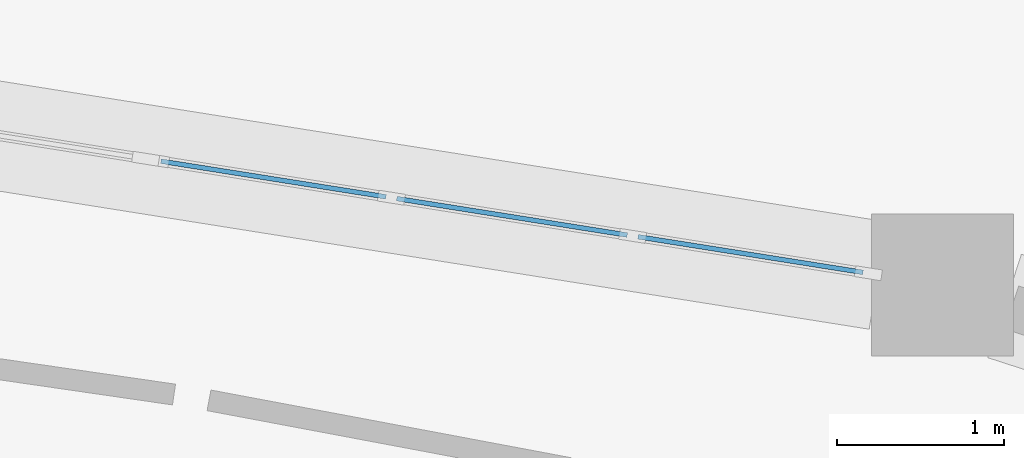
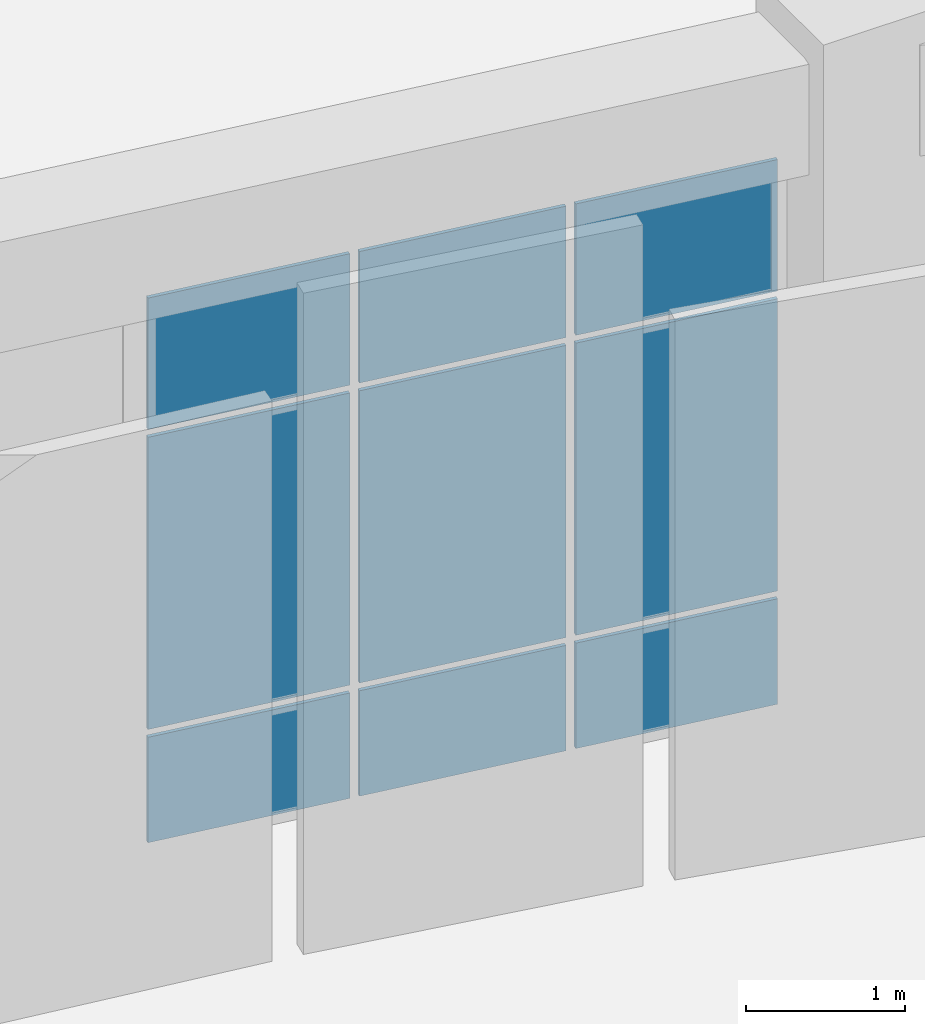
# One storey, part 43 of 70: 9 plates, 1 element without a shape of its own.
"""IFC4 building model written with IfcOpenShell, lengths in metres."""

from ifc_helpers import new_model, si_unit, direction, frame, origin, origin_2d, place, context, subcontext, project, spatial, rectangle, extrude, material, layer, layer_set, type_object, element, aggregate, save


model = new_model("IFC4")

# Units and contexts
model_context = context("Model", 3, precision=1e-05, world=origin(), true_north=direction((0.0, 1.0)))
body_context = subcontext(model_context, "Body", "Model", "MODEL_VIEW")
ifc_project = project(units=[si_unit("LENGTHUNIT", "METRE"), si_unit("AREAUNIT", "SQUARE_METRE"), si_unit("VOLUMEUNIT", "CUBIC_METRE"), si_unit("PLANEANGLEUNIT", "RADIAN"), si_unit("MASSUNIT", "GRAM", prefix="KILO")], contexts=[model_context])

# Site, building, storey
site_placement = place(None, origin())
site = spatial("IfcSite", under=ifc_project, at=site_placement, CompositionType="ELEMENT")
building_placement = place(site_placement, origin())
building = spatial("IfcBuilding", under=site, at=building_placement, Name="Miralva Faculty of Natural Sciences", CompositionType="ELEMENT")
storey_placement = place(building_placement, origin())
storey = spatial("IfcBuildingStorey", under=building, at=storey_placement, Name="L00", CompositionType="ELEMENT", Elevation=0.0)

# Curtain wall, plates
ifc_material = material(Name="Laminated solar-control glass", Category="glass")
ifc_layer_1 = layer(ifc_material, 0.179931640625, Name="CW-ARC-L00")
ifc_layer_set_1 = layer_set([ifc_layer_1], Name="Laminated solar-control glass")
curtain_wall_type = type_object("IfcCurtainWallType", Name="CW-ARC-L00", PredefinedType="USERDEFINED", material=ifc_layer_set_1)
curtain_wall_placement = place(storey_placement, origin())
curtain_wall = element("IfcCurtainWall", 1, at=curtain_wall_placement, inside=storey, type_object=curtain_wall_type, Name="Curtain wall CW-01 L00-8", ObjectType="UNITISED CURTAIN WALL", PredefinedType="USERDEFINED")
ifc_layer_2 = layer(ifc_material, 0.028076171875, Name="PNL-P01")
ifc_layer_set_2 = layer_set([ifc_layer_2], Name="Laminated solar-control glass")
plate_type = type_object("IfcPlateType", Name="PNL-P01", PredefinedType="CURTAIN_PANEL", material=ifc_layer_set_2)
plate_1_placement = place(storey_placement, frame((100.24462890625, 38.947509765625, 0.06005859375), z_axis=(0.0, 0.0, 1.0), x_axis=(0.987686694805, -0.156444855796, 0.0)))
plate_1 = element("IfcPlate", 2, at=plate_1_placement, type_object=plate_type, Name="CW-01 panel 1.1", PredefinedType="CURTAIN_PANEL", context=body_context, shape_type="SweptSolid", body=[
    extrude(rectangle(XDim=1.361083984375, YDim=0.028076171875, at=origin_2d()), origin(), (0.0, 0.0, 1.0), 0.81005859375),
])
plate_2_placement = place(storey_placement, frame((100.24462890625, 38.947509765625, 0.929931640625), z_axis=(0.0, 0.0, 1.0), x_axis=(0.987686694805, -0.156444855796, 0.0)))
plate_2 = element("IfcPlate", 3, at=plate_2_placement, type_object=plate_type, Name="CW-01 panel 1.2", PredefinedType="CURTAIN_PANEL", context=body_context, shape_type="SweptSolid", body=[
    extrude(rectangle(XDim=1.361083984375, YDim=0.028076171875, at=origin_2d()), origin(), (0.0, 0.0, 1.0), 2.2451171875),
])
plate_3_placement = place(storey_placement, frame((100.24462890625, 38.947509765625, 3.23486328125), z_axis=(0.0, 0.0, 1.0), x_axis=(0.987686694805, -0.156444855796, 0.0)))
plate_3 = element("IfcPlate", 4, at=plate_3_placement, type_object=plate_type, Name="CW-01 panel 1.3", PredefinedType="CURTAIN_PANEL", context=body_context, shape_type="SweptSolid", body=[
    extrude(rectangle(XDim=1.361083984375, YDim=0.028076171875, at=origin_2d()), origin(), (0.0, 0.0, 1.0), 1.010009765625),
])
plate_4_placement = place(storey_placement, frame((101.669189453125, 38.7216796875, 0.06005859375), z_axis=(0.0, 0.0, 1.0), x_axis=(0.987686694805, -0.156444855796, 0.0)))
plate_4 = element("IfcPlate", 5, at=plate_4_placement, type_object=plate_type, Name="CW-01 panel 2.1", PredefinedType="CURTAIN_PANEL", context=body_context, shape_type="SweptSolid", body=[
    extrude(rectangle(XDim=1.3935546875, YDim=0.028076171875, at=origin_2d()), origin(), (0.0, 0.0, 1.0), 0.81005859375),
])
plate_5_placement = place(storey_placement, frame((101.669189453125, 38.7216796875, 0.929931640625), z_axis=(0.0, 0.0, 1.0), x_axis=(0.987686694805, -0.156444855796, 0.0)))
plate_5 = element("IfcPlate", 6, at=plate_5_placement, type_object=plate_type, Name="CW-01 panel 2.2", PredefinedType="CURTAIN_PANEL", context=body_context, shape_type="SweptSolid", body=[
    extrude(rectangle(XDim=1.3935546875, YDim=0.028076171875, at=origin_2d()), origin(), (0.0, 0.0, 1.0), 2.2451171875),
])
plate_6_placement = place(storey_placement, frame((101.669189453125, 38.7216796875, 3.23486328125), z_axis=(0.0, 0.0, 1.0), x_axis=(0.987686694805, -0.156444855796, 0.0)))
plate_6 = element("IfcPlate", 7, at=plate_6_placement, type_object=plate_type, Name="CW-01 panel 2.3", PredefinedType="CURTAIN_PANEL", context=body_context, shape_type="SweptSolid", body=[
    extrude(rectangle(XDim=1.3935546875, YDim=0.028076171875, at=origin_2d()), origin(), (0.0, 0.0, 1.0), 1.010009765625),
])
plate_7_placement = place(storey_placement, frame((103.093994140625, 38.49609375, 0.06005859375), z_axis=(0.0, 0.0, 1.0), x_axis=(0.987686694805, -0.156444855796, 0.0)))
plate_7 = element("IfcPlate", 8, at=plate_7_placement, type_object=plate_type, Name="CW-01 panel 3.1", PredefinedType="CURTAIN_PANEL", context=body_context, shape_type="SweptSolid", body=[
    extrude(rectangle(XDim=1.361083984375, YDim=0.028076171875, at=origin_2d()), origin(), (0.0, 0.0, 1.0), 0.81005859375),
])
plate_8_placement = place(storey_placement, frame((103.093994140625, 38.49609375, 0.929931640625), z_axis=(0.0, 0.0, 1.0), x_axis=(0.987686694805, -0.156444855796, 0.0)))
plate_8 = element("IfcPlate", 9, at=plate_8_placement, type_object=plate_type, Name="CW-01 panel 3.2", PredefinedType="CURTAIN_PANEL", context=body_context, shape_type="SweptSolid", body=[
    extrude(rectangle(XDim=1.361083984375, YDim=0.028076171875, at=origin_2d()), origin(), (0.0, 0.0, 1.0), 2.2451171875),
])
plate_9_placement = place(storey_placement, frame((103.093994140625, 38.49609375, 3.23486328125), z_axis=(0.0, 0.0, 1.0), x_axis=(0.987686694805, -0.156444855796, 0.0)))
plate_9 = element("IfcPlate", 10, at=plate_9_placement, type_object=plate_type, Name="CW-01 panel 3.3", PredefinedType="CURTAIN_PANEL", context=body_context, shape_type="SweptSolid", body=[
    extrude(rectangle(XDim=1.361083984375, YDim=0.028076171875, at=origin_2d()), origin(), (0.0, 0.0, 1.0), 1.010009765625),
])
aggregate(curtain_wall, [plate_1, plate_2, plate_3, plate_4, plate_5, plate_6, plate_7, plate_8, plate_9])

save(model, "model.ifc")
